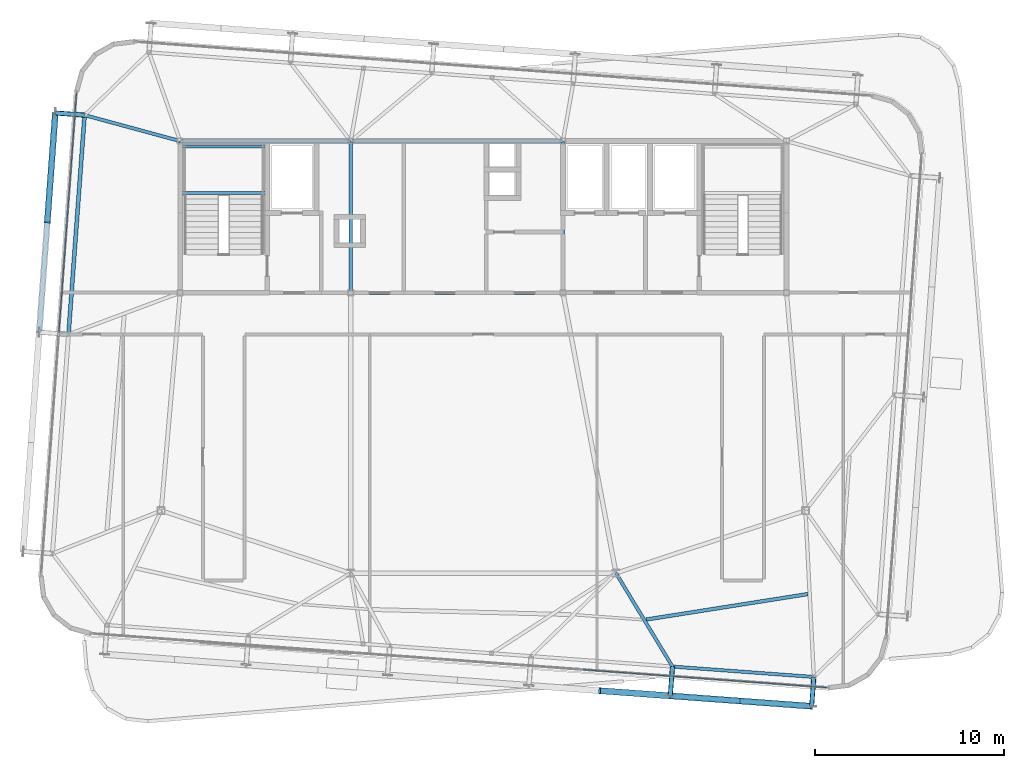
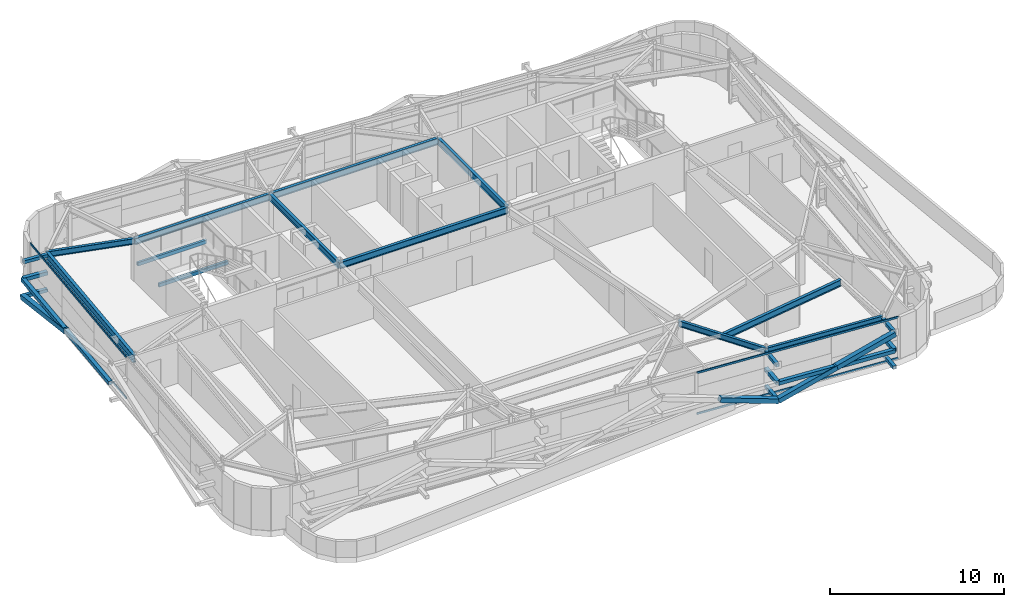
# One storey, part 15 of 37: 19 members, 12 beams, 2 elements without a shape of their own.
"""IFC4 building model written with IfcOpenShell, lengths in metres."""

from ifc_helpers import new_model, si_unit, direction, frame, origin, origin_2d, place, context, subcontext, project, spatial, hollow_rectangle, i_section, extrude, source, transform, mapped, material, layer, layer_set, material_profile, profile_set, type_object, element, aggregate, save


model = new_model("IFC4")

# Units and contexts
model_context = context("Model", 3, precision=1e-05, world=origin(), true_north=direction((0.0, 1.0)))
body_context = subcontext(model_context, "Body", "Model", "MODEL_VIEW")
ifc_project = project(units=[si_unit("LENGTHUNIT", "METRE"), si_unit("AREAUNIT", "SQUARE_METRE"), si_unit("VOLUMEUNIT", "CUBIC_METRE"), si_unit("PLANEANGLEUNIT", "RADIAN"), si_unit("MASSUNIT", "GRAM", prefix="KILO")], contexts=[model_context])

# Site, building, storey
site_placement = place(None, origin())
site = spatial("IfcSite", under=ifc_project, at=site_placement, CompositionType="ELEMENT")
building_placement = place(site_placement, origin())
building = spatial("IfcBuilding", under=site, at=building_placement, Name="Taldren Reach Tower", CompositionType="ELEMENT")
storey_placement = place(building_placement, frame((0.0, 0.0, 211.39990234375)))
storey = spatial("IfcBuildingStorey", under=building, at=storey_placement, Name="L64", CompositionType="ELEMENT", Elevation=211.39990234375)

# Beams
ifc_material_1 = material(Name="Steel Gr 350 (350PLUS)", Category="steel")
ifc_material_profile_1 = material_profile(ifc_material_1, i_section(OverallWidth=0.19091796875, OverallDepth=0.4599609375, WebThickness=0.010009765625, FlangeThickness=0.01611328125, at=origin_2d()), Name="460UB82.1")
ifc_profile_set_1 = profile_set([ifc_material_profile_1], Name="Steel Gr 350 (350PLUS)")
beam_type_1 = type_object("IfcBeamType", Name="BM-UB460A", PredefinedType="BEAM", material=ifc_profile_set_1)
shared_shape_1 = source(origin(), body_context, "Body", "SweptSolid", [
    extrude(i_section(OverallWidth=0.19091796875, OverallDepth=0.4599609375, WebThickness=0.010009765625, FlangeThickness=0.01611328125, at=origin_2d()), origin(), (0.0, 0.0, 1.0), 9.0),
])
beam_1_placement = place(storey_placement, frame((19.0, 32.0, 2.7001953125), z_axis=(1.0, 0.0, 0.0), x_axis=(0.0, 1.0, 0.0)))
element("IfcBeam", 1, at=beam_1_placement, inside=storey, type_object=beam_type_1, Name="Core-spine girder L64-SP04", PredefinedType="BEAM", context=body_context, shape_type="MappedRepresentation", body=[
    mapped(shared_shape_1, transform((0.0, 0.0, 0.0), scale=1.0)),
])
shared_shape_2 = source(origin(), body_context, "Body", "SweptSolid", [
    extrude(i_section(OverallWidth=0.19091796875, OverallDepth=0.4599609375, WebThickness=0.010009765625, FlangeThickness=0.01611328125, at=origin_2d()), origin(), (0.0, 0.0, 1.0), 11.199951171875),
])
for number, where, z_axis, x_axis, name in (
    (2, (28.0, 24.0, 2.7001953125), (1.0, 0.0, 0.0), (0.0, 1.0, 0.0), "Core-spine girder L64-SP02"),
    (3, (28.0, 32.0, 2.7001953125), (1.0, 0.0, 0.0), (0.0, 1.0, 0.0), "Core-spine girder L64-SP05"),
):
    element("IfcBeam", number, at=place(storey_placement, frame(where, z_axis=z_axis, x_axis=x_axis)), inside=storey, type_object=beam_type_1, Name=name, PredefinedType="BEAM", context=body_context, shape_type="MappedRepresentation", body=[
        mapped(shared_shape_2, transform((0.0, 0.0, 0.0), scale=1.0)),
    ])
shared_shape_3 = source(origin(), body_context, "Body", "SweptSolid", [
    extrude(i_section(OverallWidth=0.19091796875, OverallDepth=0.4599609375, WebThickness=0.010009765625, FlangeThickness=0.01611328125, at=origin_2d()), origin(), (0.0, 0.0, 1.0), 8.0),
])
for number, where, z_axis, x_axis, name in (
    (4, (28.0, 24.0, 2.7001953125), (0.0, 1.0, 0.0), (-1.0, 0.0, 0.0), "Core-spine girder L64-SP07"),
    (5, (39.199951171875, 24.0, 2.7001953125), (0.0, 1.0, 0.0), (-1.0, 0.0, 0.0), "Core-spine girder L64-SP08"),
):
    element("IfcBeam", number, at=place(storey_placement, frame(where, z_axis=z_axis, x_axis=x_axis)), inside=storey, type_object=beam_type_1, Name=name, PredefinedType="BEAM", context=body_context, shape_type="MappedRepresentation", body=[
        mapped(shared_shape_3, transform((0.0, 0.0, 0.0), scale=1.0)),
    ])

# Members
ifc_material_2 = material(Name="Steel Gr 350 (C350L0)", Category="steel")
ifc_material_profile_2 = material_profile(ifc_material_2, hollow_rectangle(XDim=0.25, YDim=0.25, WallThickness=0.010009765625, at=origin_2d()), Name="250x250x10.0SHS")
ifc_profile_set_2 = profile_set([ifc_material_profile_2], Name="Steel Gr 350 (C350L0)")
member_type_1 = type_object("IfcMemberType", Name="MB-POST250", PredefinedType="POST", material=ifc_profile_set_2)
shared_shape_4 = source(origin(), body_context, "Body", "SweptSolid", [
    extrude(hollow_rectangle(XDim=0.25, YDim=0.25, WallThickness=0.010009765625, at=origin_2d()), origin(), (0.0, 0.0, 1.0), 1.550048828125),
])
for number, where, z_axis, x_axis, name in (
    (6, (44.980224609375, 4.26904296875, 1.43505859375), (-0.07323929162, -0.997314396849, 0.0), (0.997314396849, -0.07323929162, 0.0), "Exoskeleton mid-tier diaphragm tie B5-S5 L64"),
    (7, (52.440185546875, 3.72119140625, 1.43505859375), (-0.07323929162, -0.997314396849, 0.0), (0.997314396849, -0.07323929162, 0.0), "Exoskeleton mid-tier diaphragm tie B5-S6 L64"),
):
    element("IfcMember", number, at=place(storey_placement, frame(where, z_axis=z_axis, x_axis=x_axis)), inside=storey, type_object=member_type_1, Name=name, PredefinedType="POST", context=body_context, shape_type="MappedRepresentation", body=[
        mapped(shared_shape_4, transform((0.0, 0.0, 0.0), scale=1.0)),
    ])
ifc_material_3 = material(Name="Steel Gr 450 (C450L0)", Category="steel")
ifc_material_profile_3 = material_profile(ifc_material_3, hollow_rectangle(XDim=0.219970703125, YDim=0.219970703125, WallThickness=0.00830078125, at=origin_2d()), Name="220x220x8.2SHS")
ifc_profile_set_3 = profile_set([ifc_material_profile_3], Name="Steel Gr 450 (C450L0)")
member_type_2 = type_object("IfcMemberType", Name="MB-TIE219", PredefinedType="STRUT", material=ifc_profile_set_3)
shared_shape_5 = source(origin(), body_context, "Body", "SweptSolid", [
    extrude(hollow_rectangle(XDim=0.219970703125, YDim=0.219970703125, WallThickness=0.00830078125, at=origin_2d()), origin(), (0.0, 0.0, 1.0), 1.550048828125),
])
for number, where, z_axis, x_axis, name in (
    (8, (44.980224609375, 4.26904296875, 2.650146484375), (-0.07323929162, -0.997314396849, 0.0), (0.997314396849, -0.07323929162, 0.0), "Exoskeleton diaphragm tie strut B5-S5 L64"),
    (9, (44.980224609375, 4.26904296875, 0.22021484375), (-0.07323929162, -0.997314396849, 0.0), (0.997314396849, -0.07323929162, 0.0), "Exoskeleton base diaphragm tie strut B5-S5 L64"),
    (10, (52.440185546875, 3.72119140625, 2.650146484375), (-0.07323929162, -0.997314396849, 0.0), (0.997314396849, -0.07323929162, 0.0), "Exoskeleton diaphragm tie strut B5-S6 L64"),
    (11, (52.440185546875, 3.72119140625, 0.22021484375), (-0.07323929162, -0.997314396849, 0.0), (0.997314396849, -0.07323929162, 0.0), "Exoskeleton base diaphragm tie strut B5-S6 L64"),
):
    element("IfcMember", number, at=place(storey_placement, frame(where, z_axis=z_axis, x_axis=x_axis)), inside=storey, type_object=member_type_2, Name=name, PredefinedType="STRUT", context=body_context, shape_type="MappedRepresentation", body=[
        mapped(shared_shape_5, transform((0.0, 0.0, 0.0), scale=1.0)),
    ])

# Beams
ifc_material_profile_4 = material_profile(ifc_material_1, i_section(OverallWidth=0.172119140625, OverallDepth=0.35888671875, WebThickness=0.008056640625, FlangeThickness=0.012939453125, at=origin_2d()), Name="360UB56.7")
ifc_profile_set_4 = profile_set([ifc_material_profile_4], Name="Steel Gr 350 (350PLUS)")
beam_type_2 = type_object("IfcBeamType", Name="SP-UB360", PredefinedType="SPANDREL", material=ifc_profile_set_4)
shared_shape_6 = source(origin(), body_context, "Body", "SweptSolid", [
    extrude(i_section(OverallWidth=0.172119140625, OverallDepth=0.35888671875, WebThickness=0.008056640625, FlangeThickness=0.012939453125, at=origin_2d()), origin(), (0.0, 0.0, 1.0), 7.47998046875),
])
beam_2_placement = place(storey_placement, frame((44.980224609375, 4.26904296875, 2.75048828125), z_axis=(0.997314220642, -0.07324169103, 0.0), x_axis=(0.07324169103, 0.997314220642, 0.0)))
element("IfcBeam", 12, at=beam_2_placement, inside=storey, type_object=beam_type_2, Name="Perimeter spandrel B5 S5-S6 L64", PredefinedType="SPANDREL", context=body_context, shape_type="MappedRepresentation", body=[
    mapped(shared_shape_6, transform((0.0, 0.0, 0.0), scale=1.0)),
])
ifc_material_profile_5 = material_profile(ifc_material_1, i_section(OverallWidth=0.208984375, OverallDepth=0.528076171875, WebThickness=0.009521484375, FlangeThickness=0.01318359375, at=origin_2d()), Name="530UB82.0")
ifc_profile_set_5 = profile_set([ifc_material_profile_5], Name="Steel Gr 350 (350PLUS)")
beam_type_3 = type_object("IfcBeamType", Name="SP-UB530B", PredefinedType="SPANDREL", material=ifc_profile_set_5)
shared_shape_7 = source(origin(), body_context, "Body", "SweptSolid", [
    extrude(i_section(OverallWidth=0.208984375, OverallDepth=0.528076171875, WebThickness=0.009521484375, FlangeThickness=0.01318359375, at=origin_2d()), origin(), (0.0, 0.0, 1.0), 11.60009765625),
])
beam_3_placement = place(storey_placement, frame((13.958251953125, 33.369140625, 2.666015625), z_axis=(-0.073242167855, -0.997314185625, 0.0), x_axis=(0.997314185625, -0.073242167855, 0.0)))
element("IfcBeam", 13, at=beam_3_placement, inside=storey, type_object=beam_type_3, Name="Perimeter spandrel B5 W3-W2 L64", PredefinedType="SPANDREL", context=body_context, shape_type="MappedRepresentation", body=[
    mapped(shared_shape_7, transform((0.0, 0.0, 0.0), scale=1.0)),
])
ifc_material_profile_6 = material_profile(ifc_material_1, i_section(OverallWidth=0.177978515625, OverallDepth=0.406005859375, WebThickness=0.0078125, FlangeThickness=0.0126953125, at=origin_2d()), Name="410UB59.7")
ifc_profile_set_6 = profile_set([ifc_material_profile_6], Name="Steel Gr 350 (350PLUS)")
beam_type_4 = type_object("IfcBeamType", Name="BM-UB410", PredefinedType="BEAM", material=ifc_profile_set_6)
shared_shape_8 = source(origin(), body_context, "Body", "SweptSolid", [
    extrude(i_section(OverallWidth=0.177978515625, OverallDepth=0.406005859375, WebThickness=0.0078125, FlangeThickness=0.0126953125, at=origin_2d()), origin(), (0.0, 0.0, 1.0), 5.761474609375),
])
beam_4_placement = place(storey_placement, frame((42.0, 9.199951171875, 2.72705078125), z_axis=(0.517259852514, -0.855828396922, 0.0), x_axis=(0.855828396922, 0.517259852514, 0.0)))
element("IfcBeam", 14, at=beam_4_placement, inside=storey, type_object=beam_type_4, Name="Primary floor girder B5-S5 L64", PredefinedType="BEAM", context=body_context, shape_type="MappedRepresentation", body=[
    mapped(shared_shape_8, transform((0.0, 0.0, 0.0), scale=1.0)),
])
shared_shape_9 = source(origin(), body_context, "Body", "SweptSolid", [
    extrude(i_section(OverallWidth=0.177978515625, OverallDepth=0.406005859375, WebThickness=0.0078125, FlangeThickness=0.0126953125, at=origin_2d()), origin(), (0.0, 0.0, 1.0), 5.224365234375),
])
beam_5_placement = place(storey_placement, frame((19.0, 32.0, 2.72705078125), z_axis=(-0.965049032336, 0.262069390022, 0.0), x_axis=(-0.262069390022, -0.965049032336, 0.0)))
element("IfcBeam", 15, at=beam_5_placement, inside=storey, type_object=beam_type_4, Name="Primary floor girder B5-W3 L64", PredefinedType="BEAM", context=body_context, shape_type="MappedRepresentation", body=[
    mapped(shared_shape_9, transform((0.0, 0.0, 0.0), scale=1.0)),
])
shared_shape_10 = source(origin(), body_context, "Body", "SweptSolid", [
    extrude(i_section(OverallWidth=0.19091796875, OverallDepth=0.4599609375, WebThickness=0.010009765625, FlangeThickness=0.01611328125, at=origin_2d()), origin(), (0.0, 0.0, 1.0), 8.65185546875),
])
beam_6_placement = place(storey_placement, frame((43.585205078125, 6.74951171875, 2.7001953125), z_axis=(0.987803200413, 0.155707537562, 0.0), x_axis=(-0.155707537562, 0.987803200413, 0.0)))
element("IfcBeam", 16, at=beam_6_placement, inside=storey, type_object=beam_type_1, Name="Secondary floor beam B5 J5 L64", PredefinedType="BEAM", context=body_context, shape_type="MappedRepresentation", body=[
    mapped(shared_shape_10, transform((0.0, 0.0, 0.0), scale=1.0)),
])

# Members
shared_shape_11 = source(origin(), body_context, "Body", "SweptSolid", [
    extrude(hollow_rectangle(XDim=0.219970703125, YDim=0.219970703125, WallThickness=0.00830078125, at=origin_2d()), origin(), (0.0, 0.0, 1.0), 1.5458984375),
])
for number, where, z_axis, x_axis, name in (
    (17, (13.9541015625, 33.369384765625, 2.650146484375), (-0.997311530447, 0.073278313559, 0.0), (-0.073278313559, -0.997311530447, 0.0), "Exoskeleton diaphragm tie strut B5-W3 L64"),
    (18, (13.9541015625, 33.369384765625, 0.22021484375), (-0.997311530447, 0.073278313559, 0.0), (-0.073278313559, -0.997311530447, 0.0), "Exoskeleton base diaphragm tie strut B5-W3 L64"),
):
    element("IfcMember", number, at=place(storey_placement, frame(where, z_axis=z_axis, x_axis=x_axis)), inside=storey, type_object=member_type_2, Name=name, PredefinedType="STRUT", context=body_context, shape_type="MappedRepresentation", body=[
        mapped(shared_shape_11, transform((0.0, 0.0, 0.0), scale=1.0)),
    ])
ifc_material_profile_7 = material_profile(ifc_material_3, hollow_rectangle(XDim=0.324951171875, YDim=0.324951171875, WallThickness=0.0126953125, at=origin_2d()), Name="325x325x12.7SHS")
ifc_profile_set_7 = profile_set([ifc_material_profile_7], Name="Steel Gr 450 (C450L0)")
member_type_3 = type_object("IfcMemberType", Name="MB-BR324", PredefinedType="BRACE", material=ifc_profile_set_7)
shared_shape_12 = source(origin(), body_context, "Body", "SweptSolid", [
    extrude(hollow_rectangle(XDim=0.324951171875, YDim=0.324951171875, WallThickness=0.0126953125, at=origin_2d()), origin(), (0.0, 0.0, 1.0), 3.932373046875),
])
for number, where, z_axis, x_axis, name in (
    (19, (44.86669921875, 2.72314453125, 0.22021484375), (-0.948529326954, 0.06965898055, 0.308933232813), (-0.07324169103, -0.997314220642, 0.0), "Exoskeleton Diagrid Brace B5-S4 L64"),
    (20, (44.86669921875, 2.72314453125, 0.22021484375), (0.948529326954, -0.06965898055, 0.308933232813), (0.07324169103, 0.997314220642, 0.0), "Exoskeleton Diagrid Brace B5-S5 L64"),
    (21, (48.5966796875, 2.44921875, 1.43505859375), (0.948511132845, -0.069657644394, 0.308989390507), (0.07324169103, 0.997314220642, 0.0), "Exoskeleton Diagrid Brace B5-S5 L64"),
):
    element("IfcMember", number, at=place(storey_placement, frame(where, z_axis=z_axis, x_axis=x_axis)), inside=storey, type_object=member_type_3, Name=name, PredefinedType="BRACE", context=body_context, shape_type="MappedRepresentation", body=[
        mapped(shared_shape_12, transform((0.0, 0.0, 0.0), scale=1.0)),
    ])
shared_shape_13 = source(origin(), body_context, "Body", "SweptSolid", [
    extrude(hollow_rectangle(XDim=0.25, YDim=0.25, WallThickness=0.010009765625, at=origin_2d()), origin(), (0.0, 0.0, 1.0), 7.47998046875),
])
member_1_placement = place(storey_placement, frame((44.86669921875, 2.72314453125, 1.43505859375), z_axis=(0.997314220642, -0.07324169103, 0.0), x_axis=(0.07324169103, 0.997314220642, 0.0)))
element("IfcMember", 22, at=member_1_placement, inside=storey, type_object=member_type_1, Name="Exoskeleton mid-height ring chord B5-S5 L64", PredefinedType="POST", context=body_context, shape_type="MappedRepresentation", body=[
    mapped(shared_shape_13, transform((0.0, 0.0, 0.0), scale=1.0)),
])
shared_shape_14 = source(origin(), body_context, "Body", "SweptSolid", [
    extrude(hollow_rectangle(XDim=0.324951171875, YDim=0.324951171875, WallThickness=0.0126953125, at=origin_2d()), origin(), (0.0, 0.0, 1.0), 5.92578125),
])
member_2_placement = place(storey_placement, frame((12.412353515625, 33.482666015625, 0.22021484375), z_axis=(-0.071686540919, -0.976131732187, 0.205007027365), x_axis=(0.997314185625, -0.073242167855, 0.0)))
element("IfcMember", 23, at=member_2_placement, inside=storey, type_object=member_type_3, Name="Exoskeleton Diagrid Brace B5-W2 L64", PredefinedType="BRACE", context=body_context, shape_type="MappedRepresentation", body=[
    mapped(shared_shape_14, transform((0.0, 0.0, 0.0), scale=1.0)),
])
shared_shape_15 = source(origin(), body_context, "Body", "SweptSolid", [
    extrude(hollow_rectangle(XDim=0.25, YDim=0.25, WallThickness=0.010009765625, at=origin_2d()), origin(), (0.0, 0.0, 1.0), 11.60009765625),
])
member_3_placement = place(storey_placement, frame((11.562744140625, 21.913818359375, 1.43505859375), z_axis=(0.073242167855, 0.997314185625, 0.0), x_axis=(-0.997314185625, 0.073242167855, 0.0)))
element("IfcMember", 24, at=member_3_placement, inside=storey, type_object=member_type_1, Name="Exoskeleton mid-height ring chord B5-W2 L64", PredefinedType="POST", context=body_context, shape_type="MappedRepresentation", body=[
    mapped(shared_shape_15, transform((0.0, 0.0, 0.0), scale=1.0)),
])
shared_shape_16 = source(origin(), body_context, "Body", "SweptSolid", [
    extrude(hollow_rectangle(XDim=0.25, YDim=0.25, WallThickness=0.010009765625, at=origin_2d()), origin(), (0.0, 0.0, 1.0), 1.5458984375),
])
member_4_placement = place(storey_placement, frame((13.9541015625, 33.369384765625, 1.43505859375), z_axis=(-0.997311530447, 0.073278313559, 0.0), x_axis=(-0.073278313559, -0.997311530447, 0.0)))
element("IfcMember", 25, at=member_4_placement, inside=storey, type_object=member_type_1, Name="Exoskeleton mid-tier diaphragm tie B5-W3 L64", PredefinedType="POST", context=body_context, shape_type="MappedRepresentation", body=[
    mapped(shared_shape_16, transform((0.0, 0.0, 0.0), scale=1.0)),
])

# Curtain wall, members
ifc_material_4 = material(Name="Aluminium and Low-E Glass Unitised System", Category="aluminium")
ifc_layer = layer(ifc_material_4, 0.159912109375)
ifc_layer_set = layer_set([ifc_layer], Name="Aluminium and Low-E Glass Unitised System")
curtain_wall_type = type_object("IfcCurtainWallType", Name="CW-SYS-6", PredefinedType="NOTDEFINED", material=ifc_layer_set)
curtain_wall_1_placement = place(storey_placement, origin())
curtain_wall_1 = element("IfcCurtainWall", 26, at=curtain_wall_1_placement, inside=storey, type_object=curtain_wall_type, Name="Unitised curtain wall CW-L64-S", PredefinedType="NOTDEFINED")
ifc_material_5 = material(Name="Anodised Aluminium 6063-T6", Category="aluminium")
ifc_material_profile_8 = material_profile(ifc_material_5, hollow_rectangle(XDim=0.06005859375, YDim=0.135009765625, WallThickness=0.00341796875, at=origin_2d()), Name="ALU-135x60x3.5RHS")
ifc_profile_set_8 = profile_set([ifc_material_profile_8], Name="Anodised Aluminium 6063-T6")
member_type_4 = type_object("IfcMemberType", Name="CW-TRN-150", PredefinedType="USERDEFINED", material=ifc_profile_set_8)
shared_shape_17 = source(origin(), body_context, "Body", "SweptSolid", [
    extrude(hollow_rectangle(XDim=0.06005859375, YDim=0.135009765625, WallThickness=0.00341796875, at=origin_2d()), origin(), (0.0, 0.0, 1.0), 12.8876953125),
])
member_5_placement = place(storey_placement, frame((40.27294921875, 4.103271484375, 0.030029296875), z_axis=(0.997314588711, -0.073236678949, 0.0), x_axis=(0.073236678949, 0.997314588711, 0.0)))
member_5 = element("IfcMember", 27, at=member_5_placement, type_object=member_type_4, Name="CW-6 transom 3.1", ObjectType="TRANSOM", PredefinedType="USERDEFINED", context=body_context, shape_type="MappedRepresentation", body=[
    mapped(shared_shape_17, transform((0.0, 0.0, 0.0), scale=1.0)),
])
member_6_placement = place(storey_placement, frame((40.27294921875, 4.103271484375, 2.900146484375), z_axis=(0.997314588711, -0.073236678949, 0.0), x_axis=(0.073236678949, 0.997314588711, 0.0)))
member_6 = element("IfcMember", 28, at=member_6_placement, type_object=member_type_4, Name="CW-6 transom 3.2", ObjectType="TRANSOM", PredefinedType="USERDEFINED", context=body_context, shape_type="MappedRepresentation", body=[
    mapped(shared_shape_17, transform((0.0, 0.0, 0.0), scale=1.0)),
])
aggregate(curtain_wall_1, [member_5, member_6])

curtain_wall_2_placement = place(storey_placement, origin())
curtain_wall_2 = element("IfcCurtainWall", 29, at=curtain_wall_2_placement, inside=storey, type_object=curtain_wall_type, Name="Unitised curtain wall CW-L64-W", PredefinedType="NOTDEFINED")
shared_shape_18 = source(origin(), body_context, "Body", "SweptSolid", [
    extrude(hollow_rectangle(XDim=0.06005859375, YDim=0.135009765625, WallThickness=0.00341796875, at=origin_2d()), origin(), (0.0, 0.0, 1.0), 12.6875),
])
member_7_placement = place(storey_placement, frame((13.531982421875, 34.5283203125, 0.030029296875), z_axis=(-0.073237997916, -0.997314491854, 0.0), x_axis=(0.997314491854, -0.073237997916, 0.0)))
member_7 = element("IfcMember", 30, at=member_7_placement, type_object=member_type_4, Name="CW-6 transom 1.1", ObjectType="TRANSOM", PredefinedType="USERDEFINED", context=body_context, shape_type="MappedRepresentation", body=[
    mapped(shared_shape_18, transform((0.0, 0.0, 0.0), scale=1.0)),
])
member_8_placement = place(storey_placement, frame((13.531982421875, 34.5283203125, 2.900146484375), z_axis=(-0.073237997916, -0.997314491854, 0.0), x_axis=(0.997314491854, -0.073237997916, 0.0)))
member_8 = element("IfcMember", 31, at=member_8_placement, type_object=member_type_4, Name="CW-6 transom 1.2", ObjectType="TRANSOM", PredefinedType="USERDEFINED", context=body_context, shape_type="MappedRepresentation", body=[
    mapped(shared_shape_18, transform((0.0, 0.0, 0.0), scale=1.0)),
])
aggregate(curtain_wall_2, [member_7, member_8])

# Beams
ifc_material_profile_9 = material_profile(ifc_material_2, hollow_rectangle(XDim=0.14990234375, YDim=0.25, WallThickness=0.009033203125, at=origin_2d()), Name="250x150x9.0RHS")
ifc_profile_set_9 = profile_set([ifc_material_profile_9], Name="Steel Gr 350 (C350L0)")
beam_type_5 = type_object("IfcBeamType", Name="LN-RHS250", PredefinedType="LINTEL", material=ifc_profile_set_9)
shared_shape_19 = source(origin(), body_context, "Body", "SweptSolid", [
    extrude(hollow_rectangle(XDim=0.14990234375, YDim=0.25, WallThickness=0.009033203125, at=origin_2d()), origin(), (0.0, 0.0, 1.0), 4.60009765625),
])
for number, where, z_axis, x_axis, name in (
    (32, (19.0, 29.2548828125, 1.27001953125), (1.0, 0.0, 0.0), (0.0, 1.0, 0.0), "Stair half-landing support beam ST1-L64-1"),
    (33, (19.0, 31.699951171875, 1.27001953125), (1.0, 0.0, 0.0), (0.0, 1.0, 0.0), "Stair half-landing support beam ST1-L64-2"),
):
    element("IfcBeam", number, at=place(storey_placement, frame(where, z_axis=z_axis, x_axis=x_axis)), inside=storey, type_object=beam_type_5, Name=name, PredefinedType="LINTEL", context=body_context, shape_type="MappedRepresentation", body=[
        mapped(shared_shape_19, transform((0.0, 0.0, 0.0), scale=1.0)),
    ])

save(model, "model.ifc")
